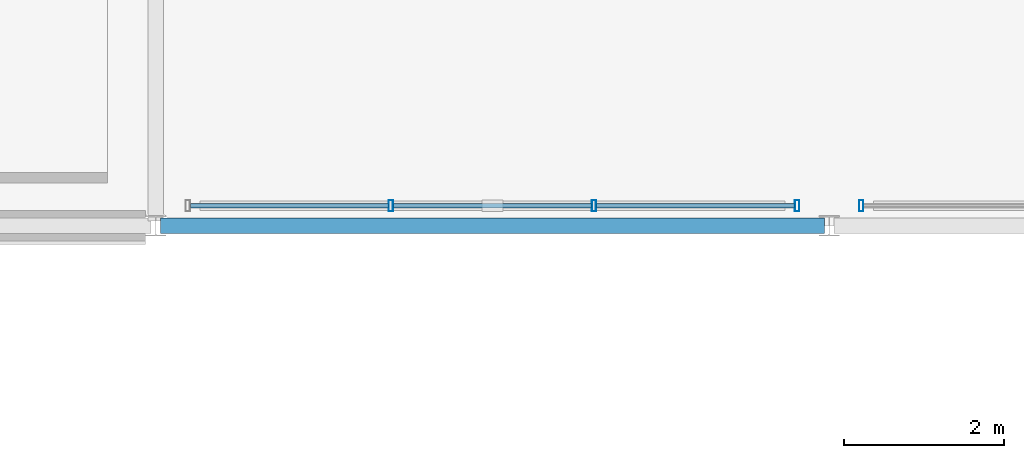
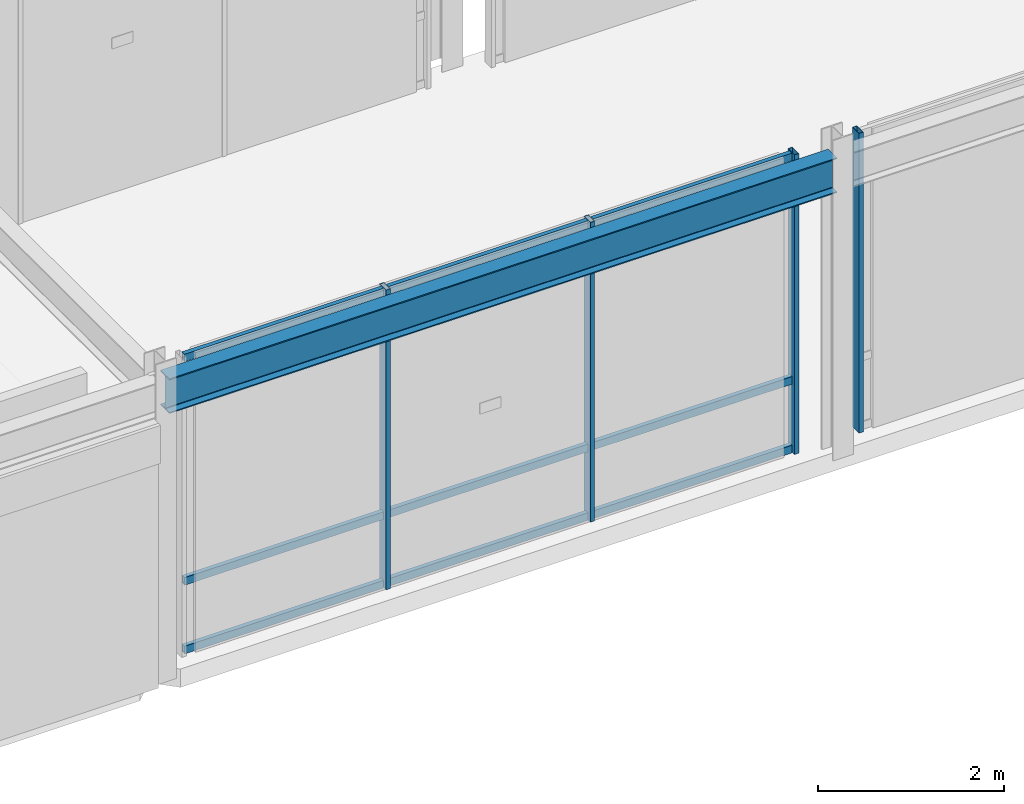
# One storey, part 41 of 152: 13 members, 1 beam, 2 elements without a shape of their own.
"""IFC4 building model written with IfcOpenShell, lengths in metres."""

from ifc_helpers import new_model, si_unit, direction, frame, origin, origin_2d, place, context, subcontext, project, spatial, hollow_rectangle, i_section, extrude, material, material_profile, profile_set, type_object, element, aggregate, save


model = new_model("IFC4")

# Units and contexts
model_context = context("Model", 3, precision=1e-05, world=origin(), true_north=direction((0.0, 1.0)))
body_context = subcontext(model_context, "Body", "Model", "MODEL_VIEW")
ifc_project = project(units=[si_unit("LENGTHUNIT", "METRE"), si_unit("AREAUNIT", "SQUARE_METRE"), si_unit("VOLUMEUNIT", "CUBIC_METRE"), si_unit("PLANEANGLEUNIT", "RADIAN"), si_unit("MASSUNIT", "GRAM", prefix="KILO"), si_unit("THERMODYNAMICTEMPERATUREUNIT", "KELVIN"), si_unit("POWERUNIT", "WATT")], contexts=[model_context])

# Site, building, storey
site_placement = place(None, origin())
site = spatial("IfcSite", under=ifc_project, at=site_placement, CompositionType="ELEMENT")
building_placement = place(site_placement, origin())
building = spatial("IfcBuilding", under=site, at=building_placement, Name="Darbajah Civic Hall", CompositionType="ELEMENT")
storey_placement = place(building_placement, frame((0.0, 0.0, 5.39990234375)))
storey = spatial("IfcBuildingStorey", under=building, at=storey_placement, Name="L01", CompositionType="ELEMENT", Elevation=5.39990234375)

# Curtain wall, members
ifc_material_1 = material(Name="Anodised Bronze Aluminium and Low-E Glazing", Category="aluminium")
curtain_wall_type = type_object("IfcCurtainWallType", Name="Unitised Curtain Wall CW-103 7600x3950", PredefinedType="USERDEFINED", material=ifc_material_1)
curtain_wall_1_placement = place(storey_placement, origin())
curtain_wall_1 = element("IfcCurtainWall", 1, at=curtain_wall_1_placement, inside=storey, type_object=curtain_wall_type, Name="L01 unitised curtain wall CW-V6-SE-S-L01", ObjectType="UNITISED CURTAIN WALL", PredefinedType="USERDEFINED")
ifc_material_2 = material(Name="Anodised Bronze Aluminium", Category="aluminium")
ifc_material_profile_1 = material_profile(ifc_material_2, hollow_rectangle(XDim=0.054931640625, YDim=0.139892578125, WallThickness=0.003173828125, at=origin_2d()), Name="ALU MULLION 55x140")
ifc_profile_set_1 = profile_set([ifc_material_profile_1], Name="Anodised Bronze Aluminium")
member_type_1 = type_object("IfcMemberType", Name="ALU MULLION 55x140", PredefinedType="MULLION", material=ifc_profile_set_1)
member_1_placement = place(storey_placement, frame((97.13330078125, 33.85009765625, 0.0), z_axis=(0.0, 0.0, 1.0), x_axis=(1.0, 0.0, 0.0)))
member_1 = element("IfcMember", 2, at=member_1_placement, type_object=member_type_1, Name="CW-V6-SE-S-L01 mullion 2", PredefinedType="MULLION", context=body_context, shape_type="SweptSolid", body=[
    extrude(hollow_rectangle(XDim=0.054931640625, YDim=0.139892578125, WallThickness=0.003173828125, at=origin_2d()), origin(), (0.0, 0.0, 1.0), 3.93017578125),
])
member_2_placement = place(storey_placement, frame((99.666748046875, 33.85009765625, 0.0), z_axis=(0.0, 0.0, 1.0), x_axis=(1.0, 0.0, 0.0)))
member_2 = element("IfcMember", 3, at=member_2_placement, type_object=member_type_1, Name="CW-V6-SE-S-L01 mullion 3", PredefinedType="MULLION", context=body_context, shape_type="SweptSolid", body=[
    extrude(hollow_rectangle(XDim=0.054931640625, YDim=0.139892578125, WallThickness=0.003173828125, at=origin_2d()), origin(), (0.0, 0.0, 1.0), 3.93017578125),
])
member_3_placement = place(storey_placement, frame((102.199951171875, 33.85009765625, 0.0), z_axis=(0.0, 0.0, 1.0), x_axis=(1.0, 0.0, 0.0)))
member_3 = element("IfcMember", 4, at=member_3_placement, type_object=member_type_1, Name="CW-V6-SE-S-L01 mullion 4", PredefinedType="MULLION", context=body_context, shape_type="SweptSolid", body=[
    extrude(hollow_rectangle(XDim=0.054931640625, YDim=0.139892578125, WallThickness=0.003173828125, at=origin_2d()), origin(), (0.0, 0.0, 1.0), 3.93017578125),
])

# Curtain wall, member
curtain_wall_2_placement = place(storey_placement, origin())
curtain_wall_2 = element("IfcCurtainWall", 5, at=curtain_wall_2_placement, inside=storey, type_object=curtain_wall_type, Name="L01 unitised curtain wall CW-V6-SE-S2-L01", ObjectType="UNITISED CURTAIN WALL", PredefinedType="USERDEFINED")
member_4_placement = place(storey_placement, frame((103.0, 33.85009765625, 0.0), z_axis=(0.0, 0.0, 1.0), x_axis=(1.0, 0.0, 0.0)))
member_4 = element("IfcMember", 6, at=member_4_placement, type_object=member_type_1, Name="CW-V6-SE-S2-L01 mullion 1", PredefinedType="MULLION", context=body_context, shape_type="SweptSolid", body=[
    extrude(hollow_rectangle(XDim=0.054931640625, YDim=0.139892578125, WallThickness=0.003173828125, at=origin_2d()), origin(), (0.0, 0.0, 1.0), 3.93017578125),
])
aggregate(curtain_wall_2, [member_4])

# Member
ifc_material_profile_2 = material_profile(ifc_material_2, hollow_rectangle(XDim=0.054931640625, YDim=0.10009765625, WallThickness=0.0029296875, at=origin_2d()), Name="ALU TRANSOM 55x100")
ifc_profile_set_2 = profile_set([ifc_material_profile_2], Name="Anodised Bronze Aluminium")
member_type_2 = type_object("IfcMemberType", Name="ALU TRANSOM 55x100", PredefinedType="USERDEFINED", material=ifc_profile_set_2)
member_5_placement = place(storey_placement, frame((94.632568359375, 33.85009765625, 0.050048828125), z_axis=(1.0, 0.0, 0.0), x_axis=(0.0, 1.0, 0.0)))
member_5 = element("IfcMember", 7, at=member_5_placement, type_object=member_type_2, Name="CW-V6-SE-S-L01 transom 1.1", ObjectType="TRANSOM", PredefinedType="USERDEFINED", context=body_context, shape_type="SweptSolid", body=[
    extrude(hollow_rectangle(XDim=0.054931640625, YDim=0.10009765625, WallThickness=0.0029296875, at=origin_2d()), origin(), (0.0, 0.0, 1.0), 2.46826171875),
])

member_6_placement = place(storey_placement, frame((94.632568359375, 33.85009765625, 0.9501953125), z_axis=(1.0, 0.0, 0.0), x_axis=(0.0, 1.0, 0.0)))
member_6 = element("IfcMember", 8, at=member_6_placement, type_object=member_type_2, Name="CW-V6-SE-S-L01 transom 1.2", ObjectType="TRANSOM", PredefinedType="USERDEFINED", context=body_context, shape_type="SweptSolid", body=[
    extrude(hollow_rectangle(XDim=0.054931640625, YDim=0.10009765625, WallThickness=0.0029296875, at=origin_2d()), origin(), (0.0, 0.0, 1.0), 2.46826171875),
])

member_7_placement = place(storey_placement, frame((94.632568359375, 33.85009765625, 3.880126953125), z_axis=(1.0, 0.0, 0.0), x_axis=(0.0, 1.0, 0.0)))
member_7 = element("IfcMember", 9, at=member_7_placement, type_object=member_type_2, Name="CW-V6-SE-S-L01 transom 1.3", ObjectType="TRANSOM", PredefinedType="USERDEFINED", context=body_context, shape_type="SweptSolid", body=[
    extrude(hollow_rectangle(XDim=0.054931640625, YDim=0.10009765625, WallThickness=0.0029296875, at=origin_2d()), origin(), (0.0, 0.0, 1.0), 2.46826171875),
])

member_8_placement = place(storey_placement, frame((97.165771484375, 33.85009765625, 0.050048828125), z_axis=(1.0, 0.0, 0.0), x_axis=(0.0, 1.0, 0.0)))
member_8 = element("IfcMember", 10, at=member_8_placement, type_object=member_type_2, Name="CW-V6-SE-S-L01 transom 2.1", ObjectType="TRANSOM", PredefinedType="USERDEFINED", context=body_context, shape_type="SweptSolid", body=[
    extrude(hollow_rectangle(XDim=0.054931640625, YDim=0.10009765625, WallThickness=0.0029296875, at=origin_2d()), origin(), (0.0, 0.0, 1.0), 2.468505859375),
])

member_9_placement = place(storey_placement, frame((97.165771484375, 33.85009765625, 0.9501953125), z_axis=(1.0, 0.0, 0.0), x_axis=(0.0, 1.0, 0.0)))
member_9 = element("IfcMember", 11, at=member_9_placement, type_object=member_type_2, Name="CW-V6-SE-S-L01 transom 2.2", ObjectType="TRANSOM", PredefinedType="USERDEFINED", context=body_context, shape_type="SweptSolid", body=[
    extrude(hollow_rectangle(XDim=0.054931640625, YDim=0.10009765625, WallThickness=0.0029296875, at=origin_2d()), origin(), (0.0, 0.0, 1.0), 2.468505859375),
])

member_10_placement = place(storey_placement, frame((97.165771484375, 33.85009765625, 3.880126953125), z_axis=(1.0, 0.0, 0.0), x_axis=(0.0, 1.0, 0.0)))
member_10 = element("IfcMember", 12, at=member_10_placement, type_object=member_type_2, Name="CW-V6-SE-S-L01 transom 2.3", ObjectType="TRANSOM", PredefinedType="USERDEFINED", context=body_context, shape_type="SweptSolid", body=[
    extrude(hollow_rectangle(XDim=0.054931640625, YDim=0.10009765625, WallThickness=0.0029296875, at=origin_2d()), origin(), (0.0, 0.0, 1.0), 2.468505859375),
])

member_11_placement = place(storey_placement, frame((99.69921875, 33.85009765625, 0.050048828125), z_axis=(1.0, 0.0, 0.0), x_axis=(0.0, 1.0, 0.0)))
member_11 = element("IfcMember", 13, at=member_11_placement, type_object=member_type_2, Name="CW-V6-SE-S-L01 transom 3.1", ObjectType="TRANSOM", PredefinedType="USERDEFINED", context=body_context, shape_type="SweptSolid", body=[
    extrude(hollow_rectangle(XDim=0.054931640625, YDim=0.10009765625, WallThickness=0.0029296875, at=origin_2d()), origin(), (0.0, 0.0, 1.0), 2.46826171875),
])

member_12_placement = place(storey_placement, frame((99.69921875, 33.85009765625, 0.9501953125), z_axis=(1.0, 0.0, 0.0), x_axis=(0.0, 1.0, 0.0)))
member_12 = element("IfcMember", 14, at=member_12_placement, type_object=member_type_2, Name="CW-V6-SE-S-L01 transom 3.2", ObjectType="TRANSOM", PredefinedType="USERDEFINED", context=body_context, shape_type="SweptSolid", body=[
    extrude(hollow_rectangle(XDim=0.054931640625, YDim=0.10009765625, WallThickness=0.0029296875, at=origin_2d()), origin(), (0.0, 0.0, 1.0), 2.46826171875),
])

member_13_placement = place(storey_placement, frame((99.69921875, 33.85009765625, 3.880126953125), z_axis=(1.0, 0.0, 0.0), x_axis=(0.0, 1.0, 0.0)))
member_13 = element("IfcMember", 15, at=member_13_placement, type_object=member_type_2, Name="CW-V6-SE-S-L01 transom 3.3", ObjectType="TRANSOM", PredefinedType="USERDEFINED", context=body_context, shape_type="SweptSolid", body=[
    extrude(hollow_rectangle(XDim=0.054931640625, YDim=0.10009765625, WallThickness=0.0029296875, at=origin_2d()), origin(), (0.0, 0.0, 1.0), 2.46826171875),
])

aggregate(curtain_wall_1, [member_1, member_2, member_3, member_5, member_6, member_7, member_8, member_9, member_10, member_11, member_12, member_13])

# Beam
ifc_material_3 = material(Name="Steel S355JR", Category="steel")
ifc_material_profile_3 = material_profile(ifc_material_3, i_section(OverallWidth=0.1904296875, OverallDepth=0.45703125, WebThickness=0.009033203125, FlangeThickness=0.014404296875, FilletRadius=0.01025390625, at=origin_2d()), Name="UB 457x191x74")
ifc_profile_set_3 = profile_set([ifc_material_profile_3], Name="Steel S355JR")
beam_type = type_object("IfcBeamType", Name="UB 457x191x74", PredefinedType="BEAM", material=ifc_profile_set_3)
beam_placement = place(storey_placement, frame((94.260009765625, 33.60009765625, 3.70166015625), z_axis=(1.0, 0.0, 0.0), x_axis=(0.0, 1.0, 0.0)))
element("IfcBeam", 16, at=beam_placement, inside=storey, type_object=beam_type, Name="L01 beam SB-457", PredefinedType="BEAM", context=body_context, shape_type="SweptSolid", body=[
    extrude(i_section(OverallWidth=0.1904296875, OverallDepth=0.45703125, WebThickness=0.009033203125, FlangeThickness=0.014404296875, FilletRadius=0.01025390625, at=origin_2d()), origin(), (0.0, 0.0, 1.0), 8.280029296875),
])

save(model, "model.ifc")
